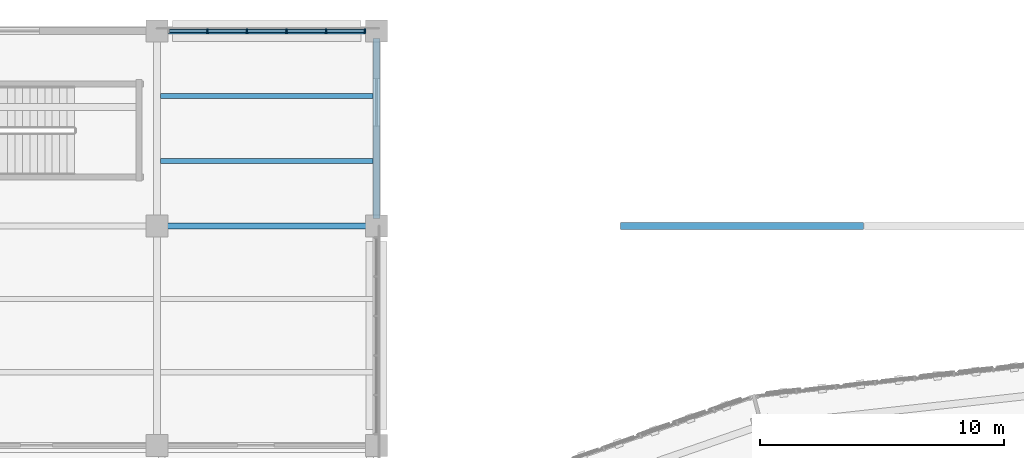
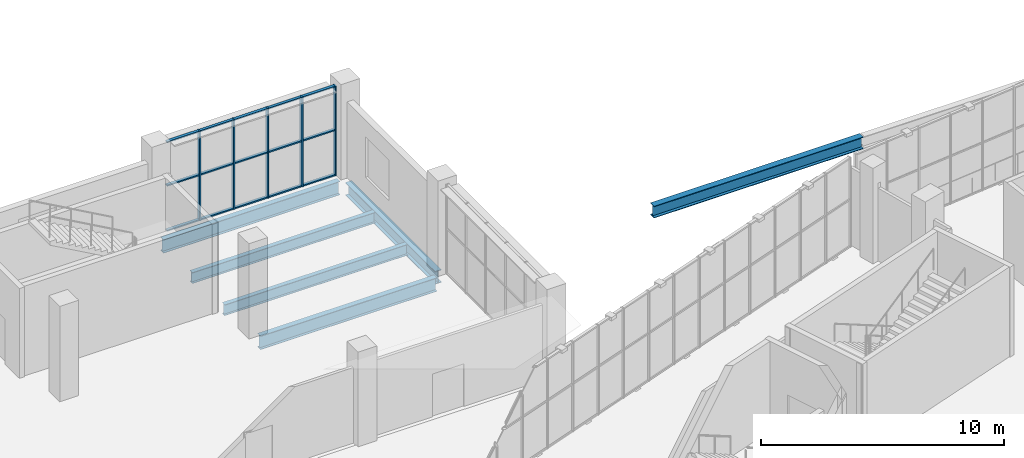
# One storey, part 57 of 183: 20 members, 6 beams, 1 element without a shape of its own.
"""IFC4 building model written with IfcOpenShell, lengths in metres."""

from ifc_helpers import new_model, si_unit, direction, frame, origin, origin_2d, place, context, subcontext, project, spatial, rectangle, i_section, extrude, material, material_profile, profile_set, type_object, element, aggregate, save


model = new_model("IFC4")

# Units and contexts
model_context = context("Model", 3, precision=1e-05, world=origin(), true_north=direction((0.0, 1.0)))
body_context = subcontext(model_context, "Body", "Model", "MODEL_VIEW")
ifc_project = project(units=[si_unit("LENGTHUNIT", "METRE"), si_unit("AREAUNIT", "SQUARE_METRE"), si_unit("VOLUMEUNIT", "CUBIC_METRE"), si_unit("PLANEANGLEUNIT", "RADIAN"), si_unit("MASSUNIT", "GRAM", prefix="KILO")], contexts=[model_context])

# Site, building, storey
site_placement = place(None, origin())
site = spatial("IfcSite", under=ifc_project, at=site_placement, CompositionType="ELEMENT")
building_placement = place(site_placement, origin())
building = spatial("IfcBuilding", under=site, at=building_placement, Name="Zevraka Park Crest Stadium", CompositionType="ELEMENT")
storey_placement = place(building_placement, frame((0.0, 0.0, 5.39990234375)))
storey = spatial("IfcBuildingStorey", under=building, at=storey_placement, Name="L01", CompositionType="ELEMENT", Elevation=5.39990234375)

# Beams
ifc_material_1 = material(Name="Steel S355", Category="steel")
ifc_material_profile_1 = material_profile(ifc_material_1, i_section(OverallWidth=0.253662109375, OverallDepth=0.68359375, WebThickness=0.012451171875, FlangeThickness=0.01904296875, at=origin_2d()), Name="UKB 686x254x140")
ifc_profile_set_1 = profile_set([ifc_material_profile_1], Name="Steel S355")
beam_type_1 = type_object("IfcBeamType", Name="BG05", PredefinedType="BEAM", material=ifc_profile_set_1)
for number, where, z_axis, x_axis, name in (
    (1, (63.300048828125, 176.0, -0.649658203125), (1.0, 0.0, 0.0), (0.0, 1.0, 0.0), "Wing Girder BG05 L01-89/V"),
    (2, (63.300048828125, 184.0, -0.649658203125), (1.0, 0.0, 0.0), (0.0, 1.0, 0.0), "Wing Girder BG05 L01-89/W"),
):
    element("IfcBeam", number, at=place(storey_placement, frame(where, z_axis=z_axis, x_axis=x_axis)), inside=storey, type_object=beam_type_1, Name=name, PredefinedType="BEAM", context=body_context, shape_type="SweptSolid", body=[
        extrude(i_section(OverallWidth=0.253662109375, OverallDepth=0.68359375, WebThickness=0.012451171875, FlangeThickness=0.01904296875, at=origin_2d()), origin(), (0.0, 0.0, 1.0), 8.39990234375),
    ])
ifc_material_2 = material(Name="Steel S355", Category="steel")
ifc_material_profile_2 = material_profile(ifc_material_2, i_section(OverallWidth=0.300048828125, OverallDepth=0.64990234375, WebThickness=0.01611328125, FlangeThickness=0.031005859375, at=origin_2d()), Name="HEB 650")
ifc_profile_set_2 = profile_set([ifc_material_profile_2], Name="Steel S355")
beam_type_2 = type_object("IfcBeamType", Name="BG07", PredefinedType="BEAM", material=ifc_profile_set_2)
beam_1_placement = place(storey_placement, frame((72.0, 176.300048828125, -0.6328125), z_axis=(0.0, 1.0, 0.0), x_axis=(-1.0, 0.0, 0.0)))
element("IfcBeam", 3, at=beam_1_placement, inside=storey, type_object=beam_type_2, Name="Wing Girder BG07 L01-9/VW", PredefinedType="BEAM", context=body_context, shape_type="SweptSolid", body=[
    extrude(i_section(OverallWidth=0.300048828125, OverallDepth=0.64990234375, WebThickness=0.01611328125, FlangeThickness=0.031005859375, at=origin_2d()), origin(), (0.0, 0.0, 1.0), 7.39990234375),
])

# Curtain wall, members
ifc_material_3 = material(Name="Anodised architectural aluminium and laminated safety glass", Category="aluminium")
curtain_wall_type = type_object("IfcCurtainWallType", Name="CW29", PredefinedType="NOTDEFINED", material=ifc_material_3)
curtain_wall_placement = place(storey_placement, origin())
curtain_wall = element("IfcCurtainWall", 4, at=curtain_wall_placement, inside=storey, type_object=curtain_wall_type, Name="Wing Curtain Wall CW29 L01-NW-N-8", PredefinedType="NOTDEFINED")
ifc_material_4 = material(Name="Anodised architectural aluminium", Category="aluminium")
ifc_material_profile_3 = material_profile(ifc_material_4, rectangle(XDim=0.179931640625, YDim=0.06494140625, at=origin_2d()), Name="ALU MULLION 180x65")
ifc_profile_set_3 = profile_set([ifc_material_profile_3], Name="Anodised architectural aluminium")
member_type_1 = type_object("IfcMemberType", Name="CM02", PredefinedType="MULLION", material=ifc_profile_set_3)
member_1_placement = place(storey_placement, frame((65.06396484375, 184.0, 0.0), z_axis=(0.0, 0.0, 1.0), x_axis=(0.0, 1.0, 0.0)))
member_1 = element("IfcMember", 5, at=member_1_placement, type_object=member_type_1, Name="CW29 mullion 2", PredefinedType="MULLION", context=body_context, shape_type="SweptSolid", body=[
    extrude(rectangle(XDim=0.179931640625, YDim=0.06494140625, at=origin_2d()), origin(), (0.0, 0.0, 1.0), 4.52001953125),
])
member_2_placement = place(storey_placement, frame((66.68798828125, 184.0, 0.0), z_axis=(0.0, 0.0, 1.0), x_axis=(0.0, 1.0, 0.0)))
member_2 = element("IfcMember", 6, at=member_2_placement, type_object=member_type_1, Name="CW29 mullion 3", PredefinedType="MULLION", context=body_context, shape_type="SweptSolid", body=[
    extrude(rectangle(XDim=0.179931640625, YDim=0.06494140625, at=origin_2d()), origin(), (0.0, 0.0, 1.0), 4.52001953125),
])
member_3_placement = place(storey_placement, frame((68.31201171875, 184.0, 0.0), z_axis=(0.0, 0.0, 1.0), x_axis=(0.0, 1.0, 0.0)))
member_3 = element("IfcMember", 7, at=member_3_placement, type_object=member_type_1, Name="CW29 mullion 4", PredefinedType="MULLION", context=body_context, shape_type="SweptSolid", body=[
    extrude(rectangle(XDim=0.179931640625, YDim=0.06494140625, at=origin_2d()), origin(), (0.0, 0.0, 1.0), 4.52001953125),
])
member_4_placement = place(storey_placement, frame((69.93603515625, 184.0, 0.0), z_axis=(0.0, 0.0, 1.0), x_axis=(0.0, 1.0, 0.0)))
member_4 = element("IfcMember", 8, at=member_4_placement, type_object=member_type_1, Name="CW29 mullion 5", PredefinedType="MULLION", context=body_context, shape_type="SweptSolid", body=[
    extrude(rectangle(XDim=0.179931640625, YDim=0.06494140625, at=origin_2d()), origin(), (0.0, 0.0, 1.0), 4.52001953125),
])
member_5_placement = place(storey_placement, frame((71.527587890625, 184.0, 0.0), z_axis=(0.0, 0.0, 1.0), x_axis=(0.0, 1.0, 0.0)))
member_5 = element("IfcMember", 9, at=member_5_placement, type_object=member_type_1, Name="CW29 mullion 6", PredefinedType="MULLION", context=body_context, shape_type="SweptSolid", body=[
    extrude(rectangle(XDim=0.179931640625, YDim=0.06494140625, at=origin_2d()), origin(), (0.0, 0.0, 1.0), 4.52001953125),
])
ifc_material_5 = material(Name="Anodised architectural aluminium", Category="aluminium")
ifc_material_profile_4 = material_profile(ifc_material_5, rectangle(XDim=0.139892578125, YDim=0.06494140625, at=origin_2d()), Name="ALU TRANSOM 140x65")
ifc_profile_set_4 = profile_set([ifc_material_profile_4], Name="Anodised architectural aluminium")
member_type_2 = type_object("IfcMemberType", Name="CT02", PredefinedType="USERDEFINED", material=ifc_profile_set_4)
member_6_placement = place(storey_placement, frame((63.5048828125, 184.0, 0.03271484375), z_axis=(1.0, 0.0, 0.0), x_axis=(0.0, 1.0, 0.0)))
member_6 = element("IfcMember", 10, at=member_6_placement, type_object=member_type_2, Name="CW29 transom 1.1", ObjectType="TRANSOM", PredefinedType="USERDEFINED", context=body_context, shape_type="SweptSolid", body=[
    extrude(rectangle(XDim=0.139892578125, YDim=0.06494140625, at=origin_2d()), origin(), (0.0, 0.0, 1.0), 1.526611328125),
])
member_7_placement = place(storey_placement, frame((63.5048828125, 184.0, 2.300048828125), z_axis=(1.0, 0.0, 0.0), x_axis=(0.0, 1.0, 0.0)))
member_7 = element("IfcMember", 11, at=member_7_placement, type_object=member_type_2, Name="CW29 transom 1.2", ObjectType="TRANSOM", PredefinedType="USERDEFINED", context=body_context, shape_type="SweptSolid", body=[
    extrude(rectangle(XDim=0.139892578125, YDim=0.06494140625, at=origin_2d()), origin(), (0.0, 0.0, 1.0), 1.526611328125),
])
member_8_placement = place(storey_placement, frame((63.5048828125, 184.0, 4.487548828125), z_axis=(1.0, 0.0, 0.0), x_axis=(0.0, 1.0, 0.0)))
member_8 = element("IfcMember", 12, at=member_8_placement, type_object=member_type_2, Name="CW29 transom 1.3", ObjectType="TRANSOM", PredefinedType="USERDEFINED", context=body_context, shape_type="SweptSolid", body=[
    extrude(rectangle(XDim=0.139892578125, YDim=0.06494140625, at=origin_2d()), origin(), (0.0, 0.0, 1.0), 1.526611328125),
])
member_9_placement = place(storey_placement, frame((65.096435546875, 184.0, 0.03271484375), z_axis=(1.0, 0.0, 0.0), x_axis=(0.0, 1.0, 0.0)))
member_9 = element("IfcMember", 13, at=member_9_placement, type_object=member_type_2, Name="CW29 transom 2.1", ObjectType="TRANSOM", PredefinedType="USERDEFINED", context=body_context, shape_type="SweptSolid", body=[
    extrude(rectangle(XDim=0.139892578125, YDim=0.06494140625, at=origin_2d()), origin(), (0.0, 0.0, 1.0), 1.55908203125),
])
member_10_placement = place(storey_placement, frame((65.096435546875, 184.0, 2.300048828125), z_axis=(1.0, 0.0, 0.0), x_axis=(0.0, 1.0, 0.0)))
member_10 = element("IfcMember", 14, at=member_10_placement, type_object=member_type_2, Name="CW29 transom 2.2", ObjectType="TRANSOM", PredefinedType="USERDEFINED", context=body_context, shape_type="SweptSolid", body=[
    extrude(rectangle(XDim=0.139892578125, YDim=0.06494140625, at=origin_2d()), origin(), (0.0, 0.0, 1.0), 1.55908203125),
])
member_11_placement = place(storey_placement, frame((65.096435546875, 184.0, 4.487548828125), z_axis=(1.0, 0.0, 0.0), x_axis=(0.0, 1.0, 0.0)))
member_11 = element("IfcMember", 15, at=member_11_placement, type_object=member_type_2, Name="CW29 transom 2.3", ObjectType="TRANSOM", PredefinedType="USERDEFINED", context=body_context, shape_type="SweptSolid", body=[
    extrude(rectangle(XDim=0.139892578125, YDim=0.06494140625, at=origin_2d()), origin(), (0.0, 0.0, 1.0), 1.55908203125),
])
member_12_placement = place(storey_placement, frame((66.720458984375, 184.0, 0.03271484375), z_axis=(1.0, 0.0, 0.0), x_axis=(0.0, 1.0, 0.0)))
member_12 = element("IfcMember", 16, at=member_12_placement, type_object=member_type_2, Name="CW29 transom 3.1", ObjectType="TRANSOM", PredefinedType="USERDEFINED", context=body_context, shape_type="SweptSolid", body=[
    extrude(rectangle(XDim=0.139892578125, YDim=0.06494140625, at=origin_2d()), origin(), (0.0, 0.0, 1.0), 1.55908203125),
])
member_13_placement = place(storey_placement, frame((66.720458984375, 184.0, 2.300048828125), z_axis=(1.0, 0.0, 0.0), x_axis=(0.0, 1.0, 0.0)))
member_13 = element("IfcMember", 17, at=member_13_placement, type_object=member_type_2, Name="CW29 transom 3.2", ObjectType="TRANSOM", PredefinedType="USERDEFINED", context=body_context, shape_type="SweptSolid", body=[
    extrude(rectangle(XDim=0.139892578125, YDim=0.06494140625, at=origin_2d()), origin(), (0.0, 0.0, 1.0), 1.55908203125),
])
member_14_placement = place(storey_placement, frame((66.720458984375, 184.0, 4.487548828125), z_axis=(1.0, 0.0, 0.0), x_axis=(0.0, 1.0, 0.0)))
member_14 = element("IfcMember", 18, at=member_14_placement, type_object=member_type_2, Name="CW29 transom 3.3", ObjectType="TRANSOM", PredefinedType="USERDEFINED", context=body_context, shape_type="SweptSolid", body=[
    extrude(rectangle(XDim=0.139892578125, YDim=0.06494140625, at=origin_2d()), origin(), (0.0, 0.0, 1.0), 1.55908203125),
])
member_15_placement = place(storey_placement, frame((68.344482421875, 184.0, 0.03271484375), z_axis=(1.0, 0.0, 0.0), x_axis=(0.0, 1.0, 0.0)))
member_15 = element("IfcMember", 19, at=member_15_placement, type_object=member_type_2, Name="CW29 transom 4.1", ObjectType="TRANSOM", PredefinedType="USERDEFINED", context=body_context, shape_type="SweptSolid", body=[
    extrude(rectangle(XDim=0.139892578125, YDim=0.06494140625, at=origin_2d()), origin(), (0.0, 0.0, 1.0), 1.55908203125),
])
member_16_placement = place(storey_placement, frame((68.344482421875, 184.0, 2.300048828125), z_axis=(1.0, 0.0, 0.0), x_axis=(0.0, 1.0, 0.0)))
member_16 = element("IfcMember", 20, at=member_16_placement, type_object=member_type_2, Name="CW29 transom 4.2", ObjectType="TRANSOM", PredefinedType="USERDEFINED", context=body_context, shape_type="SweptSolid", body=[
    extrude(rectangle(XDim=0.139892578125, YDim=0.06494140625, at=origin_2d()), origin(), (0.0, 0.0, 1.0), 1.55908203125),
])
member_17_placement = place(storey_placement, frame((68.344482421875, 184.0, 4.487548828125), z_axis=(1.0, 0.0, 0.0), x_axis=(0.0, 1.0, 0.0)))
member_17 = element("IfcMember", 21, at=member_17_placement, type_object=member_type_2, Name="CW29 transom 4.3", ObjectType="TRANSOM", PredefinedType="USERDEFINED", context=body_context, shape_type="SweptSolid", body=[
    extrude(rectangle(XDim=0.139892578125, YDim=0.06494140625, at=origin_2d()), origin(), (0.0, 0.0, 1.0), 1.55908203125),
])
member_18_placement = place(storey_placement, frame((69.968505859375, 184.0, 0.03271484375), z_axis=(1.0, 0.0, 0.0), x_axis=(0.0, 1.0, 0.0)))
member_18 = element("IfcMember", 22, at=member_18_placement, type_object=member_type_2, Name="CW29 transom 5.1", ObjectType="TRANSOM", PredefinedType="USERDEFINED", context=body_context, shape_type="SweptSolid", body=[
    extrude(rectangle(XDim=0.139892578125, YDim=0.06494140625, at=origin_2d()), origin(), (0.0, 0.0, 1.0), 1.526611328125),
])
member_19_placement = place(storey_placement, frame((69.968505859375, 184.0, 2.300048828125), z_axis=(1.0, 0.0, 0.0), x_axis=(0.0, 1.0, 0.0)))
member_19 = element("IfcMember", 23, at=member_19_placement, type_object=member_type_2, Name="CW29 transom 5.2", ObjectType="TRANSOM", PredefinedType="USERDEFINED", context=body_context, shape_type="SweptSolid", body=[
    extrude(rectangle(XDim=0.139892578125, YDim=0.06494140625, at=origin_2d()), origin(), (0.0, 0.0, 1.0), 1.526611328125),
])
member_20_placement = place(storey_placement, frame((69.968505859375, 184.0, 4.487548828125), z_axis=(1.0, 0.0, 0.0), x_axis=(0.0, 1.0, 0.0)))
member_20 = element("IfcMember", 24, at=member_20_placement, type_object=member_type_2, Name="CW29 transom 5.3", ObjectType="TRANSOM", PredefinedType="USERDEFINED", context=body_context, shape_type="SweptSolid", body=[
    extrude(rectangle(XDim=0.139892578125, YDim=0.06494140625, at=origin_2d()), origin(), (0.0, 0.0, 1.0), 1.526611328125),
])
aggregate(curtain_wall, [member_1, member_2, member_3, member_4, member_5, member_6, member_7, member_8, member_9, member_10, member_11, member_12, member_13, member_14, member_15, member_16, member_17, member_18, member_19, member_20])

# Beams
ifc_material_6 = material(Name="Steel S355", Category="steel")
ifc_material_profile_5 = material_profile(ifc_material_6, i_section(OverallWidth=0.300048828125, OverallDepth=0.60009765625, WebThickness=0.015380859375, FlangeThickness=0.030029296875, at=origin_2d()), Name="HEB 600")
ifc_profile_set_5 = profile_set([ifc_material_profile_5], Name="Steel S355")
beam_type_3 = type_object("IfcBeamType", Name="RB03", PredefinedType="BEAM", material=ifc_profile_set_5)
beam_2_placement = place(storey_placement, frame((82.02001953125, 176.0, -0.60986328125), z_axis=(1.0, 0.0, 0.0), x_axis=(0.0, 1.0, 0.0)))
element("IfcBeam", 25, at=beam_2_placement, inside=storey, type_object=beam_type_3, Name="Arcade Eave Beam RB03 PADN-1", PredefinedType="BEAM", context=body_context, shape_type="SweptSolid", body=[
    extrude(i_section(OverallWidth=0.300048828125, OverallDepth=0.60009765625, WebThickness=0.015380859375, FlangeThickness=0.030029296875, at=origin_2d()), origin(), (0.0, 0.0, 1.0), 9.9599609375),
])
ifc_material_7 = material(Name="Steel S355", Category="steel")
ifc_material_profile_6 = material_profile(ifc_material_7, i_section(OverallWidth=0.2099609375, OverallDepth=0.550048828125, WebThickness=0.010986328125, FlangeThickness=0.01708984375, at=origin_2d()), Name="IPE 550")
ifc_profile_set_6 = profile_set([ifc_material_profile_6], Name="Steel S355")
beam_type_4 = type_object("IfcBeamType", Name="SJ04", PredefinedType="JOIST", material=ifc_profile_set_6)
for number, where, z_axis, x_axis, name in (
    (26, (63.14501953125, 178.6669921875, -0.5849609375), (1.0, 0.0, 0.0), (0.0, 1.0, 0.0), "Wing Joist SJ04 L01-8/V-1"),
    (27, (63.14501953125, 181.3330078125, -0.5849609375), (1.0, 0.0, 0.0), (0.0, 1.0, 0.0), "Wing Joist SJ04 L01-8/V-2"),
):
    element("IfcBeam", number, at=place(storey_placement, frame(where, z_axis=z_axis, x_axis=x_axis)), inside=storey, type_object=beam_type_4, Name=name, PredefinedType="JOIST", context=body_context, shape_type="SweptSolid", body=[
        extrude(i_section(OverallWidth=0.2099609375, OverallDepth=0.550048828125, WebThickness=0.010986328125, FlangeThickness=0.01708984375, at=origin_2d()), origin(), (0.0, 0.0, 1.0), 8.7099609375),
    ])

save(model, "model.ifc")
